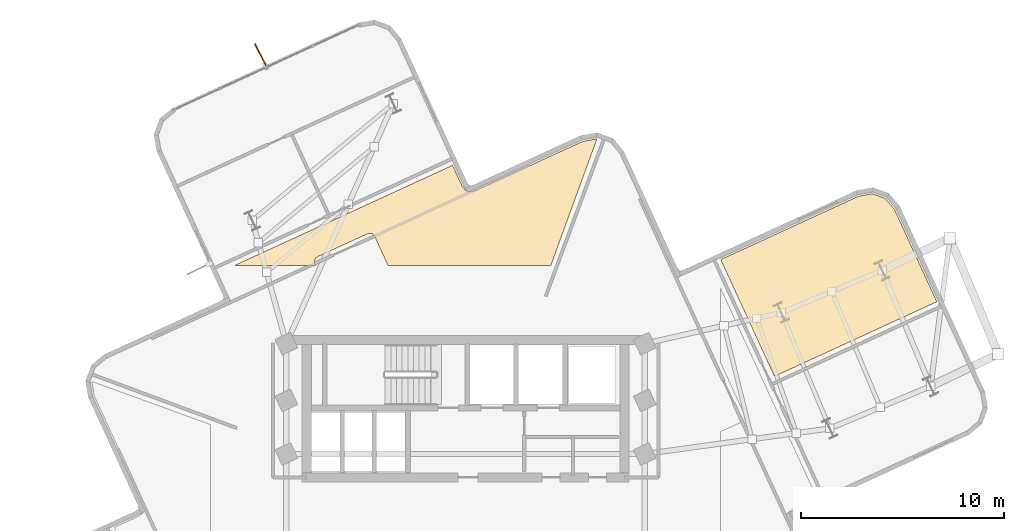
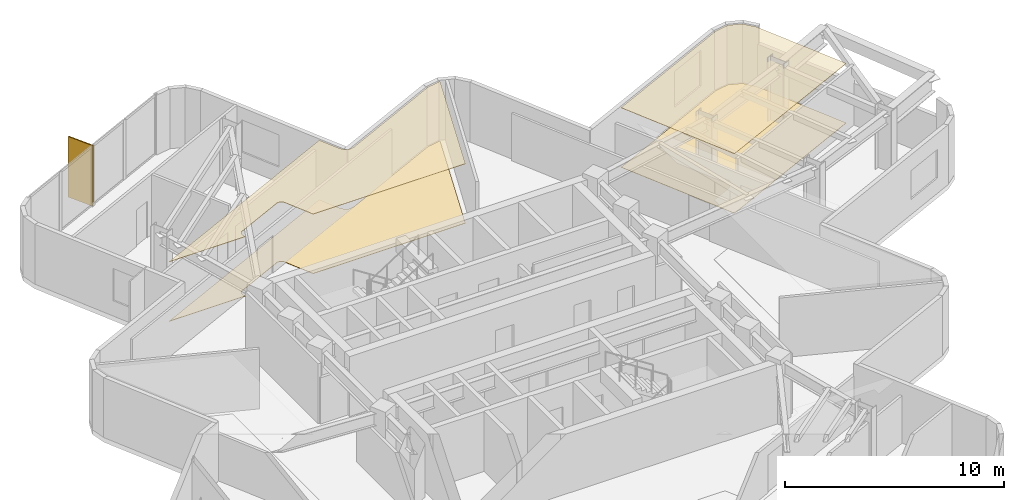
# One storey, part 11 of 11: 4 coverings, 1 shading device.
"""IFC4 building model written with IfcOpenShell, lengths in metres."""

from ifc_helpers import new_model, si_unit, direction, frame, origin, origin_2d, place, context, subcontext, project, spatial, polyline, rectangle, outline, extrude, material, layer, layer_set, type_object, element, save


model = new_model("IFC4")

# Units and contexts
model_context = context("Model", 3, precision=1e-05, world=origin(), true_north=direction((0.0, 1.0)))
body_context = subcontext(model_context, "Body", "Model", "MODEL_VIEW")
ifc_project = project(units=[si_unit("LENGTHUNIT", "METRE"), si_unit("AREAUNIT", "SQUARE_METRE"), si_unit("VOLUMEUNIT", "CUBIC_METRE"), si_unit("PLANEANGLEUNIT", "RADIAN"), si_unit("MASSUNIT", "GRAM", prefix="KILO")], contexts=[model_context])

# Site, building, storey
site_placement = place(None, origin())
site = spatial("IfcSite", under=ifc_project, at=site_placement, CompositionType="ELEMENT")
building_placement = place(site_placement, origin())
building = spatial("IfcBuilding", under=site, at=building_placement, Name="Solmarez Civic Tower", CompositionType="ELEMENT")
storey_placement = place(building_placement, frame((0.0, 0.0, 184.679931640625)))
storey = spatial("IfcBuildingStorey", under=building, at=storey_placement, Name="L49", CompositionType="ELEMENT", Elevation=184.679931640625)

# Coverings
ifc_material_1 = material(Name="Perforated Mineral-Fibre Acoustic Ceiling")
ifc_layer_1 = layer(ifc_material_1, 0.02490234375)
ifc_layer_set_1 = layer_set([ifc_layer_1], Name="Perforated Mineral-Fibre Acoustic Ceiling")
covering_type_1 = type_object("IfcCoveringType", Name="COV-CEIL-ACOUSTIC", PredefinedType="CEILING", material=ifc_layer_set_1)
covering_1_placement = place(storey_placement, frame((0.0, 0.0, 3.315185546875)))
element("IfcCovering", 1, at=covering_1_placement, inside=storey, type_object=covering_type_1, Name="L49 Suspended Acoustic Ceiling 2", PredefinedType="CEILING", context=body_context, shape_type="SweptSolid", body=[
    extrude(outline(polyline([(-11.43408203125, 12.199951171875), (-7.388916015625, 12.199951171875), (-7.430908203125, 12.29296875), (-7.43505859375, 12.302001953125), (-7.443115234375, 12.322998046875), (-7.448974609375, 12.345947265625), (-7.452880859375, 12.368896484375), (-7.4541015625, 12.37890625), (-7.455078125, 12.40087890625), (-7.455078125, 12.406005859375), (-7.4541015625, 12.427978515625), (-7.450927734375, 12.448974609375), (-7.449951171875, 12.4541015625), (-7.448974609375, 12.458984375), (-7.447021484375, 12.468017578125), (-7.44091796875, 12.489013671875), (-7.43310546875, 12.509033203125), (-7.428955078125, 12.51806640625), (-7.41796875, 12.5400390625), (-7.404052734375, 12.56103515625), (-7.39794921875, 12.569091796875), (-7.385009765625, 12.5849609375), (-7.3701171875, 12.60009765625), (-7.35400390625, 12.613037109375), (-7.345947265625, 12.618896484375), (-7.3310546875, 12.6298828125), (-7.322998046875, 12.635009765625), (-7.298095703125, 12.64794921875), (-4.842041015625, 13.77587890625), (-4.8330078125, 13.780029296875), (-4.81103515625, 13.7890625), (-4.787109375, 13.794921875), (-4.781982421875, 13.7958984375), (-4.760986328125, 13.799072265625), (-4.739013671875, 13.800048828125), (-4.72900390625, 13.800048828125), (-4.70703125, 13.799072265625), (-4.68603515625, 13.7958984375), (-4.680908203125, 13.794921875), (-4.676025390625, 13.7939453125), (-4.6669921875, 13.7919921875), (-4.64599609375, 13.785888671875), (-4.6259765625, 13.778076171875), (-4.616943359375, 13.77392578125), (-4.594970703125, 13.762939453125), (-4.570068359375, 13.74609375), (-4.5458984375, 13.72607421875), (-4.5390625, 13.718994140625), (-4.51611328125, 13.69091796875), (-4.5048828125, 13.676025390625), (-4.5, 13.66796875), (-4.487060546875, 13.64306640625), (-3.823974609375, 12.199951171875), (4.2080078125, 12.199951171875), (6.485107421875, 18.4560546875), (6.47900390625, 18.4580078125), (5.781982421875, 18.339111328125), (0.492919921875, 15.908935546875), (0.47509765625, 15.90087890625), (0.455078125, 15.89404296875), (0.447998046875, 15.89208984375), (0.4150390625, 15.885986328125), (0.2490234375, 15.85693359375), (0.239013671875, 15.85595703125), (0.23095703125, 15.85498046875), (0.2041015625, 15.85302734375), (0.18896484375, 15.85302734375), (0.162109375, 15.85498046875), (0.154052734375, 15.85595703125), (0.136962890625, 15.85791015625), (0.12109375, 15.862060546875), (0.114013671875, 15.864013671875), (0.0869140625, 15.8740234375), (0.080078125, 15.876953125), (0.072998046875, 15.8798828125), (0.051025390625, 15.89111328125), (0.0439453125, 15.89501953125), (0.028076171875, 15.905029296875), (0.011962890625, 15.9169921875), (0.006103515625, 15.922119140625), (-0.009033203125, 15.93505859375), (-0.013916015625, 15.93994140625), (-0.02001953125, 15.946044921875), (-0.033935546875, 15.9619140625), (-0.14208984375, 16.093994140625), (-0.14697265625, 16.09912109375), (-0.156982421875, 16.113037109375), (-0.1669921875, 16.126953125), (-0.169921875, 16.132080078125), (-0.18310546875, 16.157958984375), (-0.18505859375, 16.1630859375), (-0.64306640625, 17.157958984375), (-11.43408203125, 12.199951171875)])), origin(), (0.0, 0.0, 1.0), 0.02490234375),
])
covering_2_placement = place(storey_placement, frame((0.0, 0.0, 3.315185546875)))
element("IfcCovering", 2, at=covering_2_placement, inside=storey, type_object=covering_type_1, Name="L49 Suspended Acoustic Ceiling 5", PredefinedType="CEILING", context=body_context, shape_type="SweptSolid", body=[
    extrude(outline(polyline([(23.27490234375, 10.419921875), (21.18310546875, 14.972900390625), (20.72998046875, 15.51806640625), (20.10498046875, 15.75), (19.406982421875, 15.631103515625), (12.60009765625, 12.5029296875), (15.251953125, 6.73388671875), (23.27490234375, 10.419921875)])), origin(), (0.0, 0.0, 1.0), 0.02490234375),
])
ifc_material_2 = material(Name="Polished Tropical Stone Terrazzo Flooring", Category="masonry")
ifc_layer_2 = layer(ifc_material_2, 0.02001953125)
ifc_layer_set_2 = layer_set([ifc_layer_2], Name="Polished Tropical Stone Terrazzo Flooring")
covering_type_2 = type_object("IfcCoveringType", Name="COV-FLOOR-TERRAZZO", PredefinedType="FLOORING", material=ifc_layer_set_2)
covering_3_placement = place(storey_placement, origin())
element("IfcCovering", 3, at=covering_3_placement, inside=storey, type_object=covering_type_2, Name="L49 Terrazzo Floor Finish 2", PredefinedType="FLOORING", context=body_context, shape_type="SweptSolid", body=[
    extrude(outline(polyline([(-11.43408203125, 12.199951171875), (-7.388916015625, 12.199951171875), (-7.430908203125, 12.29296875), (-7.43505859375, 12.302001953125), (-7.443115234375, 12.322998046875), (-7.448974609375, 12.345947265625), (-7.452880859375, 12.368896484375), (-7.4541015625, 12.37890625), (-7.455078125, 12.40087890625), (-7.455078125, 12.406005859375), (-7.4541015625, 12.427978515625), (-7.450927734375, 12.448974609375), (-7.449951171875, 12.4541015625), (-7.448974609375, 12.458984375), (-7.447021484375, 12.468017578125), (-7.44091796875, 12.489013671875), (-7.43310546875, 12.509033203125), (-7.428955078125, 12.51806640625), (-7.41796875, 12.5400390625), (-7.404052734375, 12.56103515625), (-7.39794921875, 12.569091796875), (-7.385009765625, 12.5849609375), (-7.3701171875, 12.60009765625), (-7.35400390625, 12.613037109375), (-7.345947265625, 12.618896484375), (-7.3310546875, 12.6298828125), (-7.322998046875, 12.635009765625), (-7.298095703125, 12.64794921875), (-4.842041015625, 13.77587890625), (-4.8330078125, 13.780029296875), (-4.81103515625, 13.7890625), (-4.787109375, 13.794921875), (-4.781982421875, 13.7958984375), (-4.760986328125, 13.799072265625), (-4.739013671875, 13.800048828125), (-4.72900390625, 13.800048828125), (-4.70703125, 13.799072265625), (-4.68603515625, 13.7958984375), (-4.680908203125, 13.794921875), (-4.676025390625, 13.7939453125), (-4.6669921875, 13.7919921875), (-4.64599609375, 13.785888671875), (-4.6259765625, 13.778076171875), (-4.616943359375, 13.77392578125), (-4.594970703125, 13.762939453125), (-4.570068359375, 13.74609375), (-4.5458984375, 13.72607421875), (-4.5390625, 13.718994140625), (-4.51611328125, 13.69091796875), (-4.5048828125, 13.676025390625), (-4.5, 13.66796875), (-4.487060546875, 13.64306640625), (-3.823974609375, 12.199951171875), (4.2080078125, 12.199951171875), (6.485107421875, 18.4560546875), (6.47900390625, 18.4580078125), (5.781982421875, 18.339111328125), (0.492919921875, 15.908935546875), (0.47509765625, 15.90087890625), (0.455078125, 15.89404296875), (0.447998046875, 15.89208984375), (0.4150390625, 15.885986328125), (0.2490234375, 15.85693359375), (0.239013671875, 15.85595703125), (0.23095703125, 15.85498046875), (0.2041015625, 15.85302734375), (0.18896484375, 15.85302734375), (0.162109375, 15.85498046875), (0.154052734375, 15.85595703125), (0.136962890625, 15.85791015625), (0.12109375, 15.862060546875), (0.114013671875, 15.864013671875), (0.0869140625, 15.8740234375), (0.080078125, 15.876953125), (0.072998046875, 15.8798828125), (0.051025390625, 15.89111328125), (0.0439453125, 15.89501953125), (0.028076171875, 15.905029296875), (0.011962890625, 15.9169921875), (0.006103515625, 15.922119140625), (-0.009033203125, 15.93505859375), (-0.013916015625, 15.93994140625), (-0.02001953125, 15.946044921875), (-0.033935546875, 15.9619140625), (-0.14208984375, 16.093994140625), (-0.14697265625, 16.09912109375), (-0.156982421875, 16.113037109375), (-0.1669921875, 16.126953125), (-0.169921875, 16.132080078125), (-0.18310546875, 16.157958984375), (-0.18505859375, 16.1630859375), (-0.64306640625, 17.157958984375), (-11.43408203125, 12.199951171875)])), origin(), (0.0, 0.0, 1.0), 0.02001953125),
])
covering_4_placement = place(storey_placement, origin())
element("IfcCovering", 4, at=covering_4_placement, inside=storey, type_object=covering_type_2, Name="L49 Terrazzo Floor Finish 5", PredefinedType="FLOORING", context=body_context, shape_type="SweptSolid", body=[
    extrude(outline(polyline([(23.27490234375, 10.419921875), (21.18310546875, 14.972900390625), (20.72998046875, 15.51806640625), (20.10498046875, 15.75), (19.406982421875, 15.631103515625), (12.60009765625, 12.5029296875), (15.251953125, 6.73388671875), (23.27490234375, 10.419921875)])), origin(), (0.0, 0.0, 1.0), 0.02001953125),
])

# Shading device
ifc_material_3 = material(Name="Bronze Anodised Aluminium EN AW-6063 T6", Category="aluminium")
ifc_layer_3 = layer(ifc_material_3, 0.06005859375)
ifc_layer_set_3 = layer_set([ifc_layer_3], Name="Bronze Anodised Aluminium EN AW-6063 T6")
shading_device_type = type_object("IfcShadingDeviceType", Name="FIN-BRONZE-Z34", PredefinedType="USERDEFINED", material=ifc_layer_set_3)
shading_device_placement = place(storey_placement, frame((-10.10107421875, 22.556884765625, -0.039794921875), z_axis=(0.0, 0.0, 1.0), x_axis=(-0.45003609825, 0.893010364034, 0.0)))
element("IfcShadingDevice", 5, at=shading_device_placement, inside=storey, type_object=shading_device_type, Name="L49 Anodised Bronze Solar Fin FIN-L49-05", ObjectType="FIN", PredefinedType="USERDEFINED", context=body_context, shape_type="SweptSolid", body=[
    extrude(rectangle(XDim=1.35009765625, YDim=0.06005859375, at=origin_2d()), origin(), (0.0, 0.0, 1.0), 3.3798828125),
])

save(model, "model.ifc")
